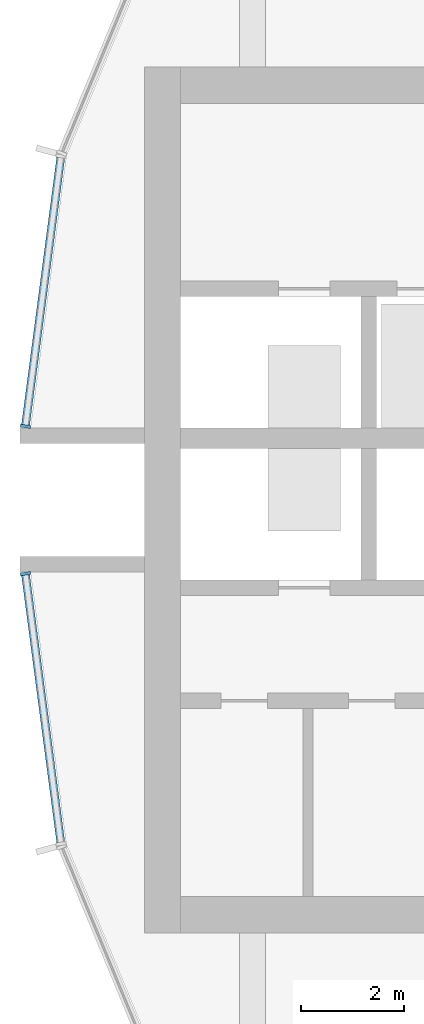
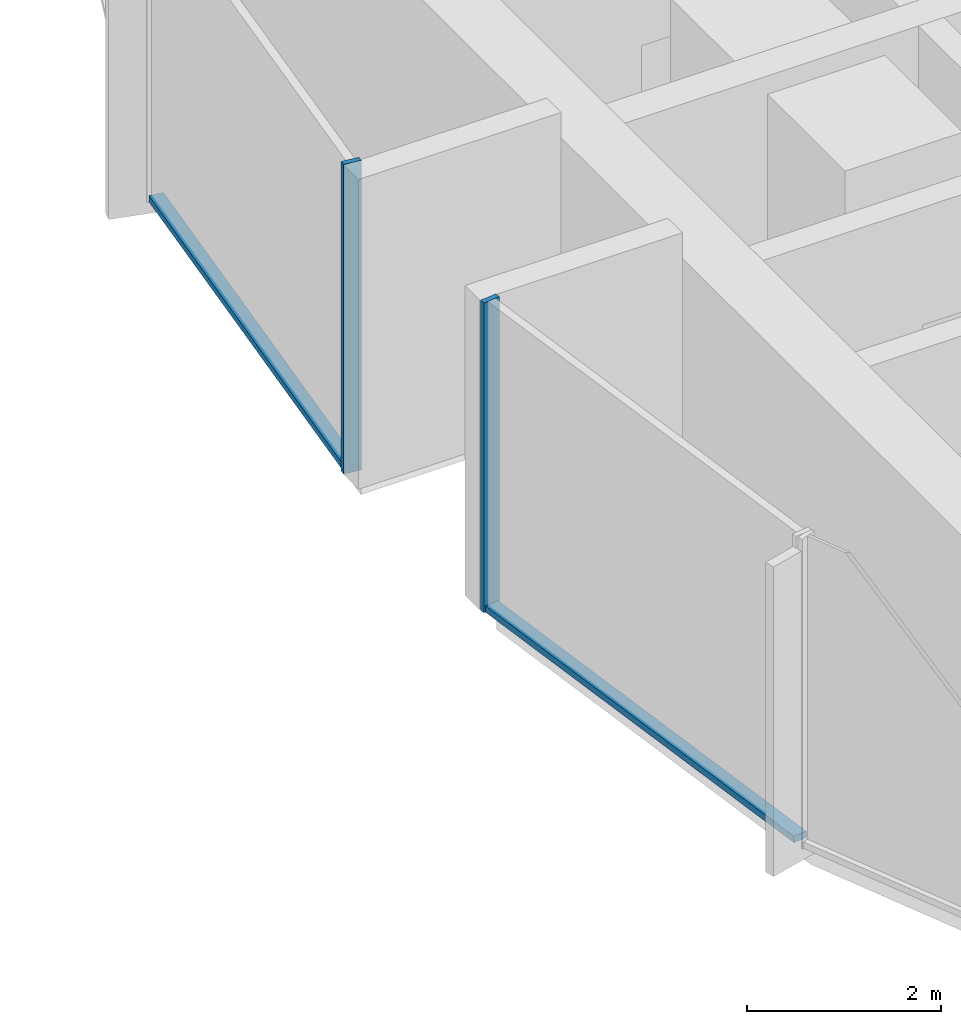
# One storey, part 3 of 15: 4 members, 2 elements without a shape of their own.
"""IFC4 building model written with IfcOpenShell, lengths in metres."""

from ifc_helpers import new_model, si_unit, direction, frame, origin, origin_2d, place, context, subcontext, project, spatial, rectangle, extrude, material, layer, layer_set, material_profile, profile_set, type_object, element, aggregate, save


model = new_model("IFC4")

# Units and contexts
model_context = context("Model", 3, precision=1e-05, world=origin(), true_north=direction((0.0, 1.0)))
body_context = subcontext(model_context, "Body", "Model", "MODEL_VIEW")
ifc_project = project(units=[si_unit("LENGTHUNIT", "METRE"), si_unit("AREAUNIT", "SQUARE_METRE"), si_unit("VOLUMEUNIT", "CUBIC_METRE"), si_unit("PLANEANGLEUNIT", "RADIAN"), si_unit("MASSUNIT", "GRAM", prefix="KILO")], contexts=[model_context])

# Site, building, storey
site_placement = place(None, origin())
site = spatial("IfcSite", under=ifc_project, at=site_placement, CompositionType="ELEMENT")
building_placement = place(site_placement, origin())
building = spatial("IfcBuilding", under=site, at=building_placement, Name="Torre Brocal", CompositionType="ELEMENT")
storey_placement = place(building_placement, frame((0.0, 0.0, 118.5)))
storey = spatial("IfcBuildingStorey", under=building, at=storey_placement, Name="L27", CompositionType="ELEMENT", Elevation=118.5)

# Curtain wall, member
ifc_material_1 = material(Name="Aluminium and glass", Category="aluminium")
ifc_layer = layer(ifc_material_1, 0.199951171875)
ifc_layer_set = layer_set([ifc_layer], Name="Aluminium and glass")
curtain_wall_type = type_object("IfcCurtainWallType", Name="CW-1B CURTAIN WALL 3900 HIGH", PredefinedType="NOTDEFINED", material=ifc_layer_set)
curtain_wall_1_placement = place(storey_placement, origin())
curtain_wall_1 = element("IfcCurtainWall", 1, at=curtain_wall_1_placement, inside=storey, type_object=curtain_wall_type, Name="CW-1B RUN 12", PredefinedType="NOTDEFINED")
ifc_material_2 = material(Name="Aluminium, dark anodised", Category="aluminium")
ifc_material_profile_1 = material_profile(ifc_material_2, rectangle(XDim=0.199951171875, YDim=0.06005859375, at=origin_2d()), Name="CW-1B MULLION 60X200")
ifc_profile_set_1 = profile_set([ifc_material_profile_1], Name="Aluminium, dark anodised")
member_type_1 = type_object("IfcMemberType", Name="CW-1B MULLION 60X200", PredefinedType="MULLION", material=ifc_profile_set_1)
member_1_placement = place(storey_placement, frame((54.2890625, 76.4296875, 0.0), z_axis=(0.0, 0.0, 1.0), x_axis=(0.991444861374, -0.13052619222, 0.0)))
member_1 = element("IfcMember", 2, at=member_1_placement, type_object=member_type_1, Name="CW1B-3 mullion 2", PredefinedType="MULLION", context=body_context, shape_type="SweptSolid", body=[
    extrude(rectangle(XDim=0.199951171875, YDim=0.06005859375, at=origin_2d()), origin(), (0.0, 0.0, 1.0), 3.89990234375),
])

curtain_wall_2_placement = place(storey_placement, origin())
curtain_wall_2 = element("IfcCurtainWall", 3, at=curtain_wall_2_placement, inside=storey, type_object=curtain_wall_type, Name="CW-1B RUN 13", PredefinedType="NOTDEFINED")
member_2_placement = place(storey_placement, frame((54.2890625, 73.5703125, 0.0), z_axis=(0.0, 0.0, 1.0), x_axis=(0.991444861374, 0.13052619222, 0.0)))
member_2 = element("IfcMember", 4, at=member_2_placement, type_object=member_type_1, Name="CW1B-3 mullion 1", PredefinedType="MULLION", context=body_context, shape_type="SweptSolid", body=[
    extrude(rectangle(XDim=0.199951171875, YDim=0.06005859375, at=origin_2d()), origin(), (0.0, 0.0, 1.0), 3.89990234375),
])

# Member
ifc_material_3 = material(Name="Aluminium, dark anodised", Category="aluminium")
ifc_material_profile_2 = material_profile(ifc_material_3, rectangle(XDim=0.159912109375, YDim=0.080078125, at=origin_2d()), Name="CW-1B TRANSOM 160X80")
ifc_profile_set_2 = profile_set([ifc_material_profile_2], Name="Aluminium, dark anodised")
member_type_2 = type_object("IfcMemberType", Name="CW-1B TRANSOM 160X80", PredefinedType="USERDEFINED", material=ifc_profile_set_2)
member_3_placement = place(storey_placement, frame((54.9755859375, 81.643798828125, 0.0400390625), z_axis=(-0.130542677827, -0.991442690863, 0.0), x_axis=(0.991442690863, -0.130542677827, 0.0)))
member_3 = element("IfcMember", 5, at=member_3_placement, type_object=member_type_2, Name="CW1B-3 transom 1.1", ObjectType="TRANSOM", PredefinedType="USERDEFINED", context=body_context, shape_type="SweptSolid", body=[
    extrude(rectangle(XDim=0.159912109375, YDim=0.080078125, at=origin_2d()), origin(), (0.0, 0.0, 1.0), 5.22900390625),
])

aggregate(curtain_wall_1, [member_1, member_3])

member_4_placement = place(storey_placement, frame((54.29296875, 73.54052734375, 0.0400390625), z_axis=(0.130542677827, -0.991442690863, 0.0), x_axis=(0.991442690863, 0.130542677827, 0.0)))
member_4 = element("IfcMember", 6, at=member_4_placement, type_object=member_type_2, Name="CW1B-3 transom 1.1", ObjectType="TRANSOM", PredefinedType="USERDEFINED", context=body_context, shape_type="SweptSolid", body=[
    extrude(rectangle(XDim=0.159912109375, YDim=0.080078125, at=origin_2d()), origin(), (0.0, 0.0, 1.0), 5.22900390625),
])

aggregate(curtain_wall_2, [member_2, member_4])

save(model, "model.ifc")
